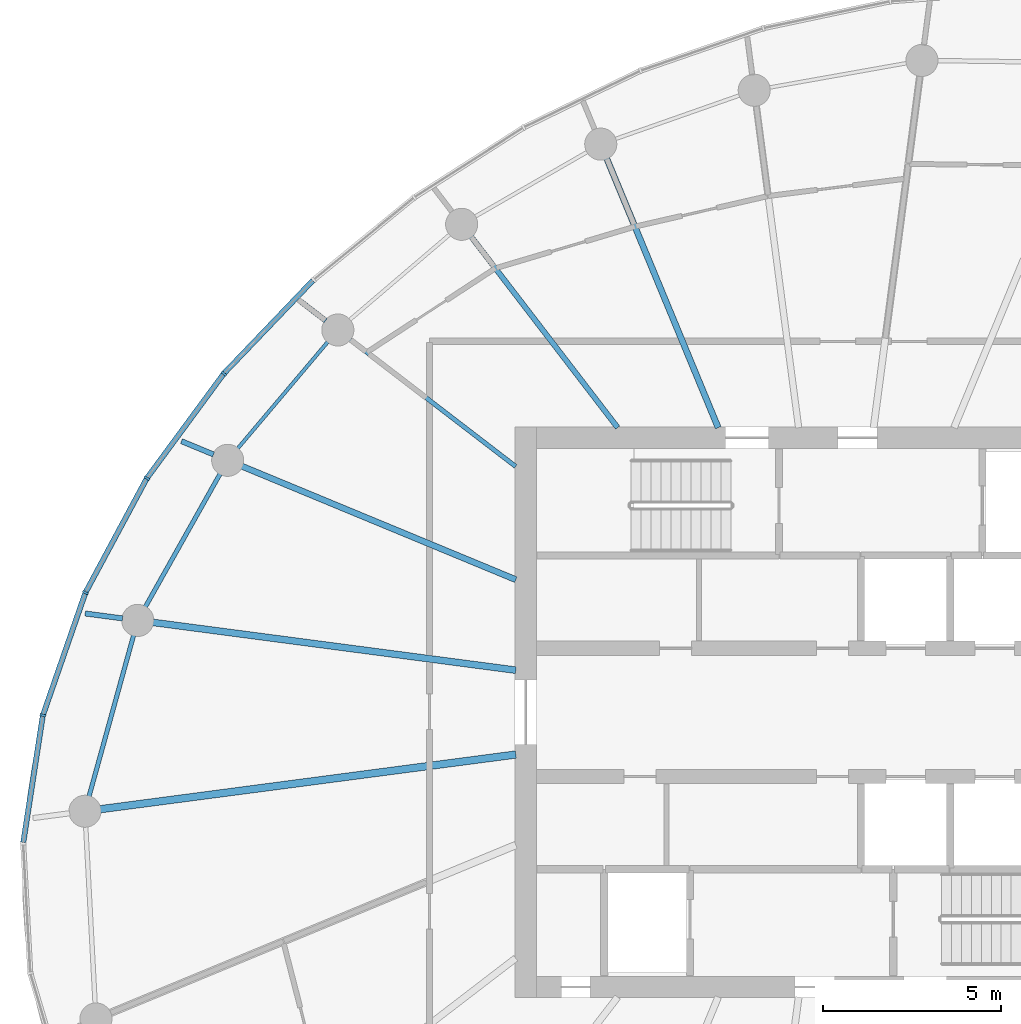
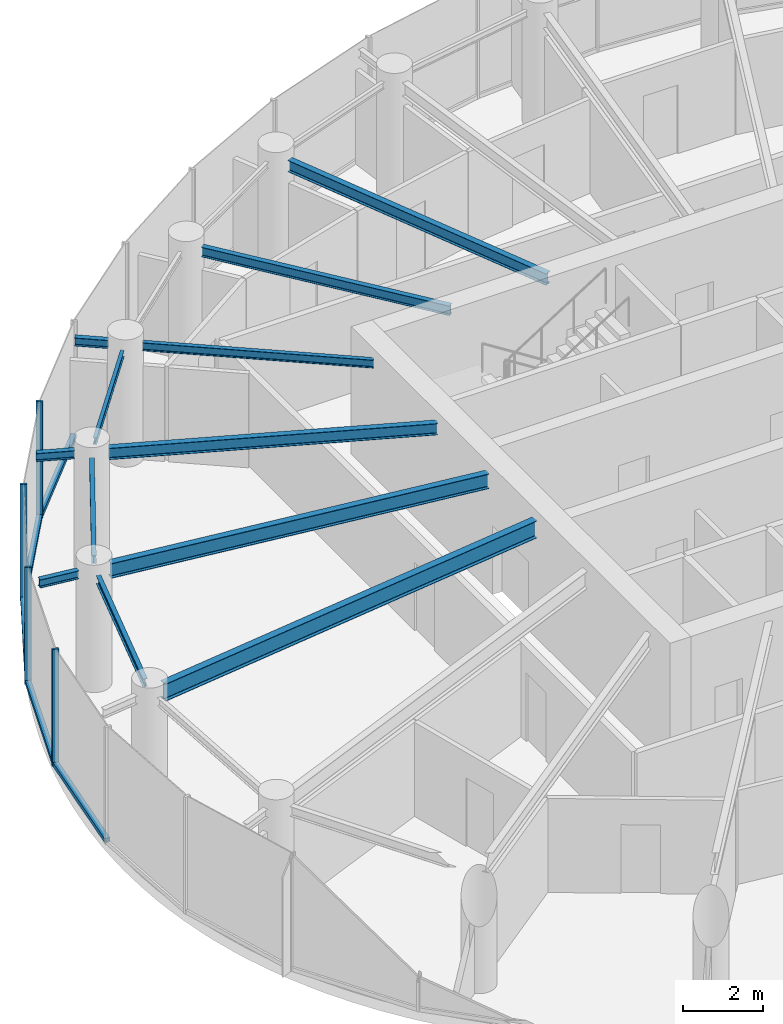
# One storey, part 4 of 14: 12 beams, 9 members, 2 elements without a shape of their own.
"""IFC4 building model written with IfcOpenShell, lengths in metres."""

from ifc_helpers import new_model, si_unit, direction, frame, origin, origin_2d, place, context, subcontext, project, spatial, rectangle, i_section, extrude, source, transform, mapped, material, layer, layer_set, material_profile, profile_set, type_object, element, aggregate, save


model = new_model("IFC4")

# Units and contexts
model_context = context("Model", 3, precision=1e-05, world=origin(), true_north=direction((0.0, 1.0)))
body_context = subcontext(model_context, "Body", "Model", "MODEL_VIEW")
ifc_project = project(units=[si_unit("LENGTHUNIT", "METRE"), si_unit("AREAUNIT", "SQUARE_METRE"), si_unit("VOLUMEUNIT", "CUBIC_METRE"), si_unit("PLANEANGLEUNIT", "RADIAN"), si_unit("MASSUNIT", "GRAM", prefix="KILO")], contexts=[model_context])

# Site, building, storey
site_placement = place(None, origin())
site = spatial("IfcSite", under=ifc_project, at=site_placement, CompositionType="ELEMENT")
building_placement = place(site_placement, origin())
building = spatial("IfcBuilding", under=site, at=building_placement, Name="Spindrift Exchange Tower", CompositionType="ELEMENT")
storey_placement = place(building_placement, frame((0.0, 0.0, 203.300048828125)))
storey = spatial("IfcBuildingStorey", under=building, at=storey_placement, Name="L49", CompositionType="ELEMENT", Elevation=203.300048828125)

# Beams
ifc_material_1 = material(Name="Steel Grade 300", Category="steel")
ifc_material_profile_1 = material_profile(ifc_material_1, i_section(OverallWidth=0.208984375, OverallDepth=0.528076171875, WebThickness=0.009521484375, FlangeThickness=0.01318359375, FilletRadius=0.013916015625, at=origin_2d()), Name="530UB82.0")
ifc_profile_set_1 = profile_set([ifc_material_profile_1], Name="Steel Grade 300")
beam_type_1 = type_object("IfcBeamType", Name="Floor Beam 530UB82.0 Steel Grade 300", PredefinedType="BEAM", material=ifc_profile_set_1)
shared_shape_1 = source(origin(), body_context, "Body", "SweptSolid", [
    extrude(i_section(OverallWidth=0.208984375, OverallDepth=0.528076171875, WebThickness=0.009521484375, FlangeThickness=0.01318359375, FilletRadius=0.013916015625, at=origin_2d()), origin(), (0.0, 0.0, 1.0), 11.75634765625),
])
beam_1_placement = place(storey_placement, frame((43.019775390625, 46.817626953125, 3.31591796875), z_axis=(-0.991445811455, -0.13051897543, 0.0), x_axis=(0.13051897543, -0.991445811455, 0.0)))
element("IfcBeam", 1, at=beam_1_placement, inside=storey, type_object=beam_type_1, Name="L49 radial beam R13A", PredefinedType="BEAM", context=body_context, shape_type="MappedRepresentation", body=[
    mapped(shared_shape_1, transform((0.0, 0.0, 0.0), scale=1.0)),
])
ifc_material_profile_2 = material_profile(ifc_material_1, i_section(OverallWidth=0.1708984375, OverallDepth=0.35205078125, WebThickness=0.0068359375, FlangeThickness=0.009765625, FilletRadius=0.013916015625, at=origin_2d()), Name="360UB44.7")
ifc_profile_set_2 = profile_set([ifc_material_profile_2], Name="Steel Grade 300")
beam_type_2 = type_object("IfcBeamType", Name="Floor Beam 360UB44.7 Steel Grade 300", PredefinedType="BEAM", material=ifc_profile_set_2)
shared_shape_2 = source(origin(), body_context, "Body", "SweptSolid", [
    extrude(i_section(OverallWidth=0.1708984375, OverallDepth=0.35205078125, WebThickness=0.0068359375, FlangeThickness=0.009765625, FilletRadius=0.013916015625, at=origin_2d()), origin(), (0.0, 0.0, 1.0), 8.1748046875),
])
beam_2_placement = place(storey_placement, frame((48.69384765625, 55.9814453125, 3.404052734375), z_axis=(-0.382655117626, 0.923891260352, 0.0), x_axis=(-0.923891260352, -0.382655117626, 0.0)))
element("IfcBeam", 2, at=beam_2_placement, inside=storey, type_object=beam_type_2, Name="L49 radial beam R08A", PredefinedType="BEAM", context=body_context, shape_type="MappedRepresentation", body=[
    mapped(shared_shape_2, transform((0.0, 0.0, 0.0), scale=1.0)),
])
ifc_material_profile_3 = material_profile(ifc_material_1, i_section(OverallWidth=0.14892578125, OverallDepth=0.298095703125, WebThickness=0.005615234375, FlangeThickness=0.008056640625, FilletRadius=0.012939453125, at=origin_2d()), Name="310UB32.0")
ifc_profile_set_3 = profile_set([ifc_material_profile_3], Name="Steel Grade 300")
beam_type_3 = type_object("IfcBeamType", Name="Floor Beam 310UB32.0 Steel Grade 300", PredefinedType="BEAM", material=ifc_profile_set_3)
shared_shape_3 = source(origin(), body_context, "Body", "SweptSolid", [
    extrude(i_section(OverallWidth=0.14892578125, OverallDepth=0.298095703125, WebThickness=0.005615234375, FlangeThickness=0.008056640625, FilletRadius=0.012939453125, at=origin_2d()), origin(), (0.0, 0.0, 1.0), 6.753173828125),
])
beam_3_placement = place(storey_placement, frame((45.87353515625, 55.984130859375, 3.430908203125), z_axis=(-0.608761639459, 0.793353178807, 0.0), x_axis=(-0.793353178807, -0.608761639459, 0.0)))
element("IfcBeam", 3, at=beam_3_placement, inside=storey, type_object=beam_type_3, Name="L49 radial beam R09A", PredefinedType="BEAM", context=body_context, shape_type="MappedRepresentation", body=[
    mapped(shared_shape_3, transform((0.0, 0.0, 0.0), scale=1.0)),
])
ifc_material_profile_4 = material_profile(ifc_material_1, i_section(OverallWidth=0.1240234375, OverallDepth=0.248046875, WebThickness=0.0048828125, FlangeThickness=0.008056640625, FilletRadius=0.011962890625, at=origin_2d()), Name="250UB25.7")
ifc_profile_set_4 = profile_set([ifc_material_profile_4], Name="Steel Grade 300")
beam_type_4 = type_object("IfcBeamType", Name="Floor Beam 250UB25.7 Steel Grade 300", PredefinedType="BEAM", material=ifc_profile_set_4)
shared_shape_4 = source(origin(), body_context, "Body", "SweptSolid", [
    extrude(i_section(OverallWidth=0.1240234375, OverallDepth=0.248046875, WebThickness=0.0048828125, FlangeThickness=0.008056640625, FilletRadius=0.011962890625, at=origin_2d()), origin(), (0.0, 0.0, 1.0), 5.855712890625),
])
beam_4_placement = place(storey_placement, frame((43.015869140625, 54.893798828125, 3.4560546875), z_axis=(-0.793362708479, 0.608749219954, 0.0), x_axis=(-0.608749219954, -0.793362708479, 0.0)))
element("IfcBeam", 4, at=beam_4_placement, inside=storey, type_object=beam_type_4, Name="L49 radial beam R10A", PredefinedType="BEAM", context=body_context, shape_type="MappedRepresentation", body=[
    mapped(shared_shape_4, transform((0.0, 0.0, 0.0), scale=1.0)),
])
shared_shape_5 = source(origin(), body_context, "Body", "SweptSolid", [
    extrude(i_section(OverallWidth=0.1708984375, OverallDepth=0.35205078125, WebThickness=0.0068359375, FlangeThickness=0.009765625, FilletRadius=0.013916015625, at=origin_2d()), origin(), (0.0, 0.0, 1.0), 8.3134765625),
])
beam_5_placement = place(storey_placement, frame((43.0185546875, 51.72021484375, 3.404052734375), z_axis=(-0.923881179957, 0.382679455055, 0.0), x_axis=(-0.382679455055, -0.923881179957, 0.0)))
element("IfcBeam", 5, at=beam_5_placement, inside=storey, type_object=beam_type_2, Name="L49 radial beam R11A", PredefinedType="BEAM", context=body_context, shape_type="MappedRepresentation", body=[
    mapped(shared_shape_5, transform((0.0, 0.0, 0.0), scale=1.0)),
])
ifc_material_profile_5 = material_profile(ifc_material_1, i_section(OverallWidth=0.18994140625, OverallDepth=0.4541015625, WebThickness=0.008544921875, FlangeThickness=0.0126953125, FilletRadius=0.013916015625, at=origin_2d()), Name="460UB67.1")
ifc_profile_set_5 = profile_set([ifc_material_profile_5], Name="Steel Grade 300")
beam_type_5 = type_object("IfcBeamType", Name="Floor Beam 460UB67.1 Steel Grade 300", PredefinedType="BEAM", material=ifc_profile_set_5)
shared_shape_6 = source(origin(), body_context, "Body", "SweptSolid", [
    extrude(i_section(OverallWidth=0.18994140625, OverallDepth=0.4541015625, WebThickness=0.008544921875, FlangeThickness=0.0126953125, FilletRadius=0.013916015625, at=origin_2d()), origin(), (0.0, 0.0, 1.0), 10.262451171875),
])
beam_6_placement = place(storey_placement, frame((43.019775390625, 49.182373046875, 3.35302734375), z_axis=(-0.991446763371, 0.130511744304, 0.0), x_axis=(-0.130511744304, -0.991446763371, 0.0)))
element("IfcBeam", 6, at=beam_6_placement, inside=storey, type_object=beam_type_5, Name="L49 radial beam R12A", PredefinedType="BEAM", context=body_context, shape_type="MappedRepresentation", body=[
    mapped(shared_shape_6, transform((0.0, 0.0, 0.0), scale=1.0)),
])
ifc_material_profile_6 = material_profile(ifc_material_1, i_section(OverallWidth=0.09912109375, OverallDepth=0.197998046875, WebThickness=0.00439453125, FlangeThickness=0.007080078125, FilletRadius=0.010986328125, at=origin_2d()), Name="200UB18.2")
ifc_profile_set_6 = profile_set([ifc_material_profile_6], Name="Steel Grade 300")
beam_type_6 = type_object("IfcBeamType", Name="Edge Beam 200UB18.2 Steel Grade 300", PredefinedType="SPANDREL", material=ifc_profile_set_6)
shared_shape_7 = source(origin(), body_context, "Body", "SweptSolid", [
    extrude(i_section(OverallWidth=0.09912109375, OverallDepth=0.197998046875, WebThickness=0.00439453125, FlangeThickness=0.007080078125, FilletRadius=0.010986328125, at=origin_2d()), origin(), (0.0, 0.0, 1.0), 3.92431640625),
])
beam_7_placement = place(storey_placement, frame((37.75146484375, 58.391845703125, 3.48095703125), z_axis=(-0.645498720032, -0.763761351757, 0.0), x_axis=(0.763761351757, -0.645498720032, 0.0)))
element("IfcBeam", 7, at=beam_7_placement, inside=storey, type_object=beam_type_6, Name="L49 edge beam E10", PredefinedType="SPANDREL", context=body_context, shape_type="MappedRepresentation", body=[
    mapped(shared_shape_7, transform((0.0, 0.0, 0.0), scale=1.0)),
])
ifc_material_profile_7 = material_profile(ifc_material_1, i_section(OverallWidth=0.1240234375, OverallDepth=0.248046875, WebThickness=0.0048828125, FlangeThickness=0.008056640625, FilletRadius=0.011962890625, at=origin_2d()), Name="250UB25.7")
ifc_profile_set_7 = profile_set([ifc_material_profile_7], Name="Steel Grade 300")
beam_type_7 = type_object("IfcBeamType", Name="Edge Beam 250UB25.7 Steel Grade 300", PredefinedType="SPANDREL", material=ifc_profile_set_7)
shared_shape_8 = source(origin(), body_context, "Body", "SweptSolid", [
    extrude(i_section(OverallWidth=0.1240234375, OverallDepth=0.248046875, WebThickness=0.0048828125, FlangeThickness=0.008056640625, FilletRadius=0.011962890625, at=origin_2d()), origin(), (0.0, 0.0, 1.0), 4.2880859375),
])
beam_8_placement = place(storey_placement, frame((34.72998046875, 54.69140625, 3.4560546875), z_axis=(-0.489804347673, -0.871832381253, 0.0), x_axis=(0.871832381253, -0.489804347673, 0.0)))
element("IfcBeam", 8, at=beam_8_placement, inside=storey, type_object=beam_type_7, Name="L49 edge beam E11", PredefinedType="SPANDREL", context=body_context, shape_type="MappedRepresentation", body=[
    mapped(shared_shape_8, transform((0.0, 0.0, 0.0), scale=1.0)),
])
shared_shape_9 = source(origin(), body_context, "Body", "SweptSolid", [
    extrude(i_section(OverallWidth=0.1240234375, OverallDepth=0.248046875, WebThickness=0.0048828125, FlangeThickness=0.008056640625, FilletRadius=0.011962890625, at=origin_2d()), origin(), (0.0, 0.0, 1.0), 4.69189453125),
])
beam_9_placement = place(storey_placement, frame((32.30419921875, 50.16357421875, 3.4560546875), z_axis=(-0.266774248618, -0.963759046792, 0.0), x_axis=(0.963759046792, -0.266774248618, 0.0)))
element("IfcBeam", 9, at=beam_9_placement, inside=storey, type_object=beam_type_7, Name="L49 edge beam E12", PredefinedType="SPANDREL", context=body_context, shape_type="MappedRepresentation", body=[
    mapped(shared_shape_9, transform((0.0, 0.0, 0.0), scale=1.0)),
])
ifc_material_profile_8 = material_profile(ifc_material_1, i_section(OverallWidth=0.14599609375, OverallDepth=0.251953125, WebThickness=0.006103515625, FlangeThickness=0.008544921875, FilletRadius=0.011962890625, at=origin_2d()), Name="250UB31.4")
ifc_profile_set_8 = profile_set([ifc_material_profile_8], Name="Steel Grade 300")
beam_type_8 = type_object("IfcBeamType", Name="Cantilever Beam 250UB31.4 Steel Grade 300", PredefinedType="BEAM", material=ifc_profile_set_8)
shared_shape_10 = source(origin(), body_context, "Body", "SweptSolid", [
    extrude(i_section(OverallWidth=0.14599609375, OverallDepth=0.251953125, WebThickness=0.006103515625, FlangeThickness=0.008544921875, FilletRadius=0.011962890625, at=origin_2d()), origin(), (0.0, 0.0, 1.0), 0.850341796875),
])
beam_10_placement = place(storey_placement, frame((37.68798828125, 58.982177734375, 3.453857421875), z_axis=(-0.793476968481, 0.608600279732, 0.0), x_axis=(-0.608600279732, -0.793476968481, 0.0)))
element("IfcBeam", 10, at=beam_10_placement, inside=storey, type_object=beam_type_8, Name="L49 cantilever beam R10T", PredefinedType="BEAM", context=body_context, shape_type="MappedRepresentation", body=[
    mapped(shared_shape_10, transform((0.0, 0.0, 0.0), scale=1.0)),
])
shared_shape_11 = source(origin(), body_context, "Body", "SweptSolid", [
    extrude(i_section(OverallWidth=0.14599609375, OverallDepth=0.251953125, WebThickness=0.006103515625, FlangeThickness=0.008544921875, FilletRadius=0.011962890625, at=origin_2d()), origin(), (0.0, 0.0, 1.0), 0.97412109375),
])
beam_11_placement = place(storey_placement, frame((34.543212890625, 55.230712890625, 3.453857421875), z_axis=(-0.923861027853, 0.382728103508, 0.0), x_axis=(-0.382728103508, -0.923861027853, 0.0)))
element("IfcBeam", 11, at=beam_11_placement, inside=storey, type_object=beam_type_8, Name="L49 cantilever beam R11T", PredefinedType="BEAM", context=body_context, shape_type="MappedRepresentation", body=[
    mapped(shared_shape_11, transform((0.0, 0.0, 0.0), scale=1.0)),
])
shared_shape_12 = source(origin(), body_context, "Body", "SweptSolid", [
    extrude(i_section(OverallWidth=0.14599609375, OverallDepth=0.251953125, WebThickness=0.006103515625, FlangeThickness=0.008544921875, FilletRadius=0.011962890625, at=origin_2d()), origin(), (0.0, 0.0, 1.0), 1.058837890625),
])
beam_12_placement = place(storey_placement, frame((31.99267578125, 50.634033203125, 3.453857421875), z_axis=(-0.991448016129, 0.130502227239, 0.0), x_axis=(-0.130502227239, -0.991448016129, 0.0)))
element("IfcBeam", 12, at=beam_12_placement, inside=storey, type_object=beam_type_8, Name="L49 cantilever beam R12T", PredefinedType="BEAM", context=body_context, shape_type="MappedRepresentation", body=[
    mapped(shared_shape_12, transform((0.0, 0.0, 0.0), scale=1.0)),
])

# Curtain wall, members
ifc_material_2 = material(Name="Fritted laminated glass with bronze frame", Category="glass")
ifc_layer = layer(ifc_material_2, 0.169921875)
ifc_layer_set = layer_set([ifc_layer], Name="ZONE 4 BRONZE FRITTED WALL")
curtain_wall_type = type_object("IfcCurtainWallType", Name="ZONE 4 BRONZE FRITTED WALL", PredefinedType="NOTDEFINED", material=ifc_layer_set)
curtain_wall_1_placement = place(storey_placement, origin())
curtain_wall_1 = element("IfcCurtainWall", 13, at=curtain_wall_1_placement, inside=storey, type_object=curtain_wall_type, Name="L49 Zone 4 Bronze Fritted Wall run 3", PredefinedType="NOTDEFINED")
ifc_material_3 = material(Name="Bronze anodised aluminium", Category="aluminium")
ifc_material_profile_9 = material_profile(ifc_material_3, rectangle(XDim=0.06494140625, YDim=0.169921875, at=origin_2d()), Name="ZONE 4 BRONZE FRITTED WALL MULLION 65X170")
ifc_profile_set_9 = profile_set([ifc_material_profile_9], Name="Bronze anodised aluminium")
member_type_1 = type_object("IfcMemberType", Name="ZONE 4 BRONZE FRITTED WALL MULLION 65X170", PredefinedType="MULLION", material=ifc_profile_set_9)
shared_shape_13 = source(origin(), body_context, "Body", "SweptSolid", [
    extrude(rectangle(XDim=0.06494140625, YDim=0.169921875, at=origin_2d()), origin(), (0.0, 0.0, 1.0), 3.579833984375),
])
member_1_placement = place(storey_placement, frame((34.83154296875, 57.4990234375, 0.0), z_axis=(0.0, 0.0, 1.0), x_axis=(-0.643250176119, -0.765656065687, 0.0)))
member_1 = element("IfcMember", 14, at=member_1_placement, type_object=member_type_1, Name="L49 mullion CW-4.13", PredefinedType="MULLION", context=body_context, shape_type="MappedRepresentation", body=[
    mapped(shared_shape_13, transform((0.0, 0.0, 0.0), scale=1.0)),
])
member_2_placement = place(storey_placement, frame((32.673583984375, 54.564697265625, 0.0), z_axis=(0.0, 0.0, 1.0), x_axis=(-0.534026491919, -0.845467743872, 0.0)))
member_2 = element("IfcMember", 15, at=member_2_placement, type_object=member_type_1, Name="L49 mullion CW-4.14", PredefinedType="MULLION", context=body_context, shape_type="MappedRepresentation", body=[
    mapped(shared_shape_13, transform((0.0, 0.0, 0.0), scale=1.0)),
])
member_3_placement = place(storey_placement, frame((30.951416015625, 51.356201171875, 0.0), z_axis=(0.0, 0.0, 1.0), x_axis=(-0.401635379489, -0.915799662559, 0.0)))
member_3 = element("IfcMember", 16, at=member_3_placement, type_object=member_type_1, Name="L49 mullion CW-4.15", PredefinedType="MULLION", context=body_context, shape_type="MappedRepresentation", body=[
    mapped(shared_shape_13, transform((0.0, 0.0, 0.0), scale=1.0)),
])
member_4_placement = place(storey_placement, frame((29.758056640625, 47.9169921875, 0.0), z_axis=(0.0, 0.0, 1.0), x_axis=(-0.241021868361, -0.970519685, 0.0)))
member_4 = element("IfcMember", 17, at=member_4_placement, type_object=member_type_1, Name="L49 mullion CW-4.16", PredefinedType="MULLION", context=body_context, shape_type="MappedRepresentation", body=[
    mapped(shared_shape_13, transform((0.0, 0.0, 0.0), scale=1.0)),
])
ifc_material_profile_10 = material_profile(ifc_material_3, rectangle(XDim=0.14990234375, YDim=0.125, at=origin_2d()), Name="ZONE 4 BRONZE FRITTED WALL TRANSOM 150X125")
ifc_profile_set_10 = profile_set([ifc_material_profile_10], Name="Bronze anodised aluminium")
member_type_2 = type_object("IfcMemberType", Name="ZONE 4 BRONZE FRITTED WALL TRANSOM 150X125", PredefinedType="USERDEFINED", material=ifc_profile_set_10)
shared_shape_14 = source(origin(), body_context, "Body", "SweptSolid", [
    extrude(rectangle(XDim=0.14990234375, YDim=0.125, at=origin_2d()), origin(), (0.0, 0.0, 1.0), 3.5771484375),
])
member_5_placement = place(storey_placement, frame((34.812255859375, 57.472900390625, 0.0625), z_axis=(-0.592460803811, -0.805599277524, 0.0), x_axis=(0.805599277524, -0.592460803811, 0.0)))
member_5 = element("IfcMember", 18, at=member_5_placement, type_object=member_type_2, Name="L49 transom CW-4.13", ObjectType="TRANSOM", PredefinedType="USERDEFINED", context=body_context, shape_type="MappedRepresentation", body=[
    mapped(shared_shape_14, transform((0.0, 0.0, 0.0), scale=1.0)),
])

# Curtain wall, member
curtain_wall_2_placement = place(storey_placement, origin())
curtain_wall_2 = element("IfcCurtainWall", 19, at=curtain_wall_2_placement, inside=storey, type_object=curtain_wall_type, Name="L49 Zone 4 Bronze Fritted Wall run 2", PredefinedType="NOTDEFINED")
shared_shape_15 = source(origin(), body_context, "Body", "SweptSolid", [
    extrude(rectangle(XDim=0.14990234375, YDim=0.125, at=origin_2d()), origin(), (0.0, 0.0, 1.0), 3.577392578125),
])
member_6_placement = place(storey_placement, frame((37.327392578125, 60.107177734375, 0.0625), z_axis=(-0.691376026942, -0.722495113734, 0.0), x_axis=(0.722495113734, -0.691376026942, 0.0)))
member_6 = element("IfcMember", 20, at=member_6_placement, type_object=member_type_2, Name="L49 transom CW-4.12", ObjectType="TRANSOM", PredefinedType="USERDEFINED", context=body_context, shape_type="MappedRepresentation", body=[
    mapped(shared_shape_15, transform((0.0, 0.0, 0.0), scale=1.0)),
])
aggregate(curtain_wall_2, [member_6])

# Member
shared_shape_16 = source(origin(), body_context, "Body", "SweptSolid", [
    extrude(rectangle(XDim=0.14990234375, YDim=0.125, at=origin_2d()), origin(), (0.0, 0.0, 1.0), 3.57568359375),
])
member_7_placement = place(storey_placement, frame((30.94091796875, 51.32568359375, 0.0625), z_axis=(-0.327797576106, -0.944747981791, 0.0), x_axis=(0.944747981791, -0.327797576106, 0.0)))
member_7 = element("IfcMember", 21, at=member_7_placement, type_object=member_type_2, Name="L49 transom CW-4.15", ObjectType="TRANSOM", PredefinedType="USERDEFINED", context=body_context, shape_type="MappedRepresentation", body=[
    mapped(shared_shape_16, transform((0.0, 0.0, 0.0), scale=1.0)),
])

shared_shape_17 = source(origin(), body_context, "Body", "SweptSolid", [
    extrude(rectangle(XDim=0.14990234375, YDim=0.125, at=origin_2d()), origin(), (0.0, 0.0, 1.0), 3.57421875),
])
member_8_placement = place(storey_placement, frame((29.753173828125, 47.884765625, 0.0625), z_axis=(-0.152257365474, -0.988340879787, 0.0), x_axis=(0.988340879787, -0.152257365474, 0.0)))
member_8 = element("IfcMember", 22, at=member_8_placement, type_object=member_type_2, Name="L49 transom CW-4.16", ObjectType="TRANSOM", PredefinedType="USERDEFINED", context=body_context, shape_type="MappedRepresentation", body=[
    mapped(shared_shape_17, transform((0.0, 0.0, 0.0), scale=1.0)),
])

shared_shape_18 = source(origin(), body_context, "Body", "SweptSolid", [
    extrude(rectangle(XDim=0.14990234375, YDim=0.125, at=origin_2d()), origin(), (0.0, 0.0, 1.0), 3.576416015625),
])
member_9_placement = place(storey_placement, frame((32.658447265625, 54.5361328125, 0.0625), z_axis=(-0.472992214718, -0.881066606345, 0.0), x_axis=(0.881066606345, -0.472992214718, 0.0)))
member_9 = element("IfcMember", 23, at=member_9_placement, type_object=member_type_2, Name="L49 transom CW-4.14", ObjectType="TRANSOM", PredefinedType="USERDEFINED", context=body_context, shape_type="MappedRepresentation", body=[
    mapped(shared_shape_18, transform((0.0, 0.0, 0.0), scale=1.0)),
])

aggregate(curtain_wall_1, [member_1, member_5, member_2, member_9, member_3, member_7, member_4, member_8])

save(model, "model.ifc")
